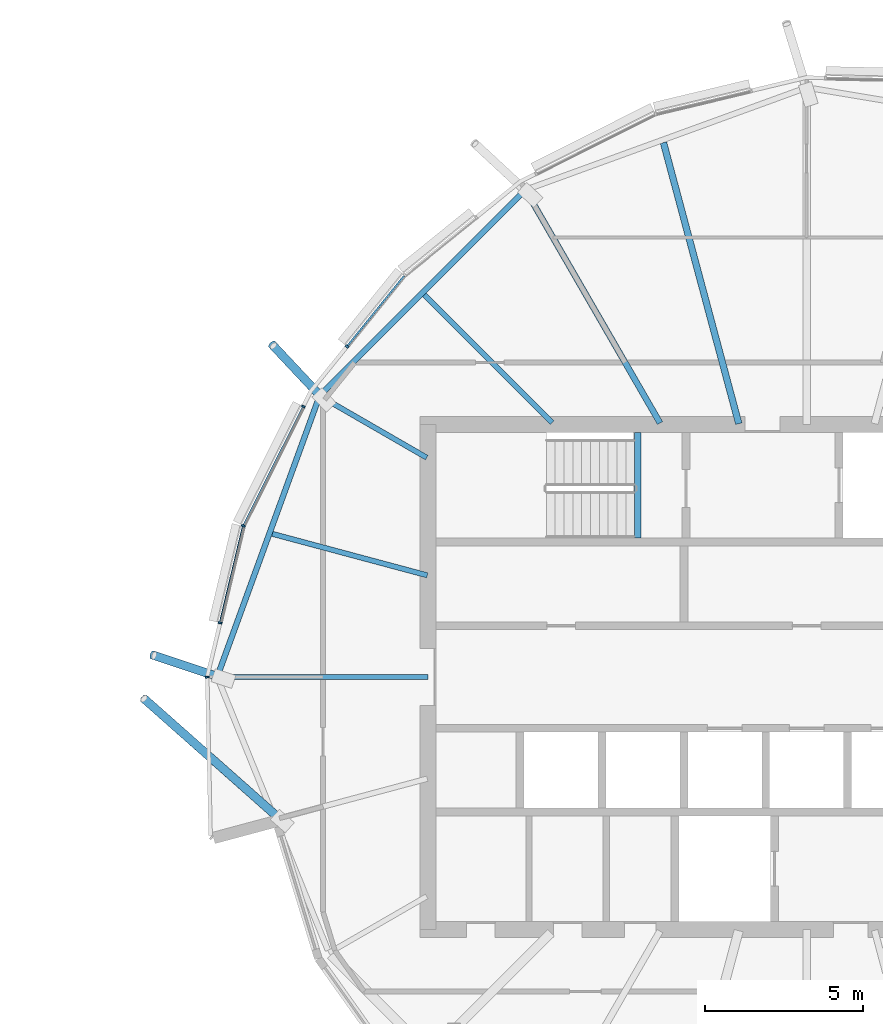
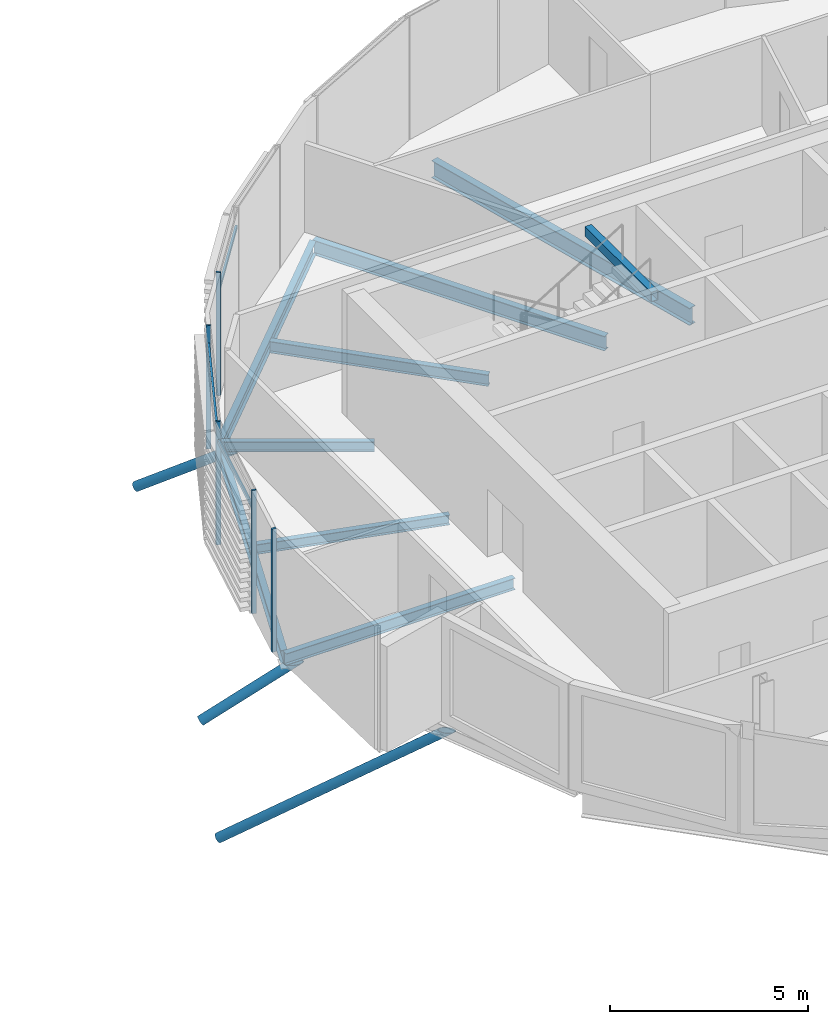
# One storey, part 11 of 36: 11 members, 9 beams, 1 element without a shape of its own.
"""IFC4 building model written with IfcOpenShell, lengths in metres."""

from ifc_helpers import new_model, si_unit, direction, frame, origin, origin_2d, place, context, subcontext, project, spatial, rectangle, hollow_rectangle, hollow_circle, i_section, extrude, clip, halfspace, material, material_profile, profile_set, type_object, element, aggregate, save


model = new_model("IFC4")

# Units and contexts
model_context = context("Model", 3, precision=1e-05, world=origin(), true_north=direction((0.0, 1.0)))
body_context = subcontext(model_context, "Body", "Model", "MODEL_VIEW")
ifc_project = project(units=[si_unit("LENGTHUNIT", "METRE"), si_unit("AREAUNIT", "SQUARE_METRE"), si_unit("VOLUMEUNIT", "CUBIC_METRE"), si_unit("PLANEANGLEUNIT", "RADIAN"), si_unit("MASSUNIT", "GRAM", prefix="KILO")], contexts=[model_context])

# Site, building, storey
site_placement = place(None, origin())
site = spatial("IfcSite", under=ifc_project, at=site_placement, CompositionType="ELEMENT")
building_placement = place(site_placement, origin())
building = spatial("IfcBuilding", under=site, at=building_placement, Name="Rimbun Link Towers", CompositionType="ELEMENT")
storey_placement = place(building_placement, frame((0.0, 0.0, 248.5)))
storey = spatial("IfcBuildingStorey", under=building, at=storey_placement, Name="L61", CompositionType="ELEMENT", Elevation=248.5)

# Curtain wall, members
ifc_material_1 = material(Name="Aluminium 6063-T6 and low-iron glass", Category="aluminium")
curtain_wall_type = type_object("IfcCurtainWallType", Name="CW1-Z4 unitised vision wall (zone 4)", PredefinedType="NOTDEFINED", material=ifc_material_1)
curtain_wall_placement = place(storey_placement, origin())
curtain_wall = element("IfcCurtainWall", 1, at=curtain_wall_placement, inside=storey, type_object=curtain_wall_type, Name="CW1 L61 T2", PredefinedType="NOTDEFINED")
ifc_material_2 = material(Name="Aluminium 6063-T6", Category="aluminium")
ifc_material_profile_1 = material_profile(ifc_material_2, rectangle(XDim=0.1201171875, YDim=0.06005859375, at=origin_2d()), Name="MULLION 60X120")
ifc_profile_set_1 = profile_set([ifc_material_profile_1], Name="Aluminium 6063-T6")
member_type_1 = type_object("IfcMemberType", Name="CW1 mullion 60X120", PredefinedType="MULLION", material=ifc_profile_set_1)
member_1_placement = place(storey_placement, frame((17.18115234375, 10.47509765625, 0.0), z_axis=(0.0, 0.0, 1.0), x_axis=(-0.777276551105, 0.629159092045, 0.0)))
member_1 = element("IfcMember", 2, at=member_1_placement, type_object=member_type_1, Name="CW1 mullion", PredefinedType="MULLION", context=body_context, shape_type="SweptSolid", body=[
    extrude(rectangle(XDim=0.1201171875, YDim=0.06005859375, at=origin_2d()), origin(), (0.0, 0.0, 1.0), 3.800048828125),
])
member_2_placement = place(storey_placement, frame((13.89501953125, 4.789794921875, 0.0), z_axis=(0.0, 0.0, 1.0), x_axis=(-0.939348063646, 0.342965326709, 0.0)))
member_2 = element("IfcMember", 3, at=member_2_placement, type_object=member_type_1, Name="CW1 mullion", PredefinedType="MULLION", context=body_context, shape_type="SweptSolid", body=[
    extrude(rectangle(XDim=0.1201171875, YDim=0.06005859375, at=origin_2d()), origin(), (0.0, 0.0, 1.0), 3.800048828125),
])
member_3_placement = place(storey_placement, frame((15.794921875, 8.57373046875, 0.0), z_axis=(0.0, 0.0, 1.0), x_axis=(-0.893647148893, 0.4487702901, 0.0)))
member_3 = element("IfcMember", 4, at=member_3_placement, type_object=member_type_1, Name="CW1 mullion", PredefinedType="MULLION", context=body_context, shape_type="SweptSolid", body=[
    extrude(rectangle(XDim=0.1201171875, YDim=0.06005859375, at=origin_2d()), origin(), (0.0, 0.0, 1.0), 3.800048828125),
])
member_4_placement = place(storey_placement, frame((13.159423828125, 1.716064453125, 0.0), z_axis=(0.0, 0.0, 1.0), x_axis=(-0.972571370192, 0.232604664363, 0.0)))
member_4 = element("IfcMember", 5, at=member_4_placement, type_object=member_type_1, Name="CW1 mullion", PredefinedType="MULLION", context=body_context, shape_type="SweptSolid", body=[
    extrude(rectangle(XDim=0.1201171875, YDim=0.06005859375, at=origin_2d()), origin(), (0.0, 0.0, 1.0), 3.800048828125),
])
member_5_placement = place(storey_placement, frame((12.750732421875, -0.001220703125, 0.0), z_axis=(0.0, 0.0, 1.0), x_axis=(-0.999778207989, -0.021060266635, 0.0)))
member_5 = element("IfcMember", 6, at=member_5_placement, type_object=member_type_1, Name="CW1 mullion", PredefinedType="MULLION", context=body_context, shape_type="SweptSolid", body=[
    extrude(rectangle(XDim=0.1201171875, YDim=0.06005859375, at=origin_2d()), origin(), (0.0, 0.0, 1.0), 3.800048828125),
])
ifc_material_3 = material(Name="Aluminium 6063-T6", Category="aluminium")
ifc_material_profile_2 = material_profile(ifc_material_3, rectangle(XDim=0.06005859375, YDim=0.1201171875, at=origin_2d()), Name="TRANSOM 60X120")
ifc_profile_set_2 = profile_set([ifc_material_profile_2], Name="Aluminium 6063-T6")
member_type_2 = type_object("IfcMemberType", Name="CW1 transom 60X120", PredefinedType="USERDEFINED", material=ifc_profile_set_2)
member_6_placement = place(storey_placement, frame((17.20166015625, 10.497314453125, 3.199951171875), z_axis=(0.629185882158, 0.777254865339, 0.0), x_axis=(-0.777254865339, 0.629185882158, 0.0)))
member_6 = element("IfcMember", 7, at=member_6_placement, type_object=member_type_2, Name="CW1 transom", ObjectType="TRANSOM", PredefinedType="USERDEFINED", context=body_context, shape_type="SweptSolid", body=[
    extrude(rectangle(XDim=0.06005859375, YDim=0.1201171875, at=origin_2d()), origin(), (0.0, 0.0, 1.0), 2.84423828125),
])
member_7_placement = place(storey_placement, frame((13.9130859375, 4.822021484375, 3.199951171875), z_axis=(0.448783061239, 0.893640735388, 0.0), x_axis=(-0.893640735388, 0.448783061239, 0.0)))
member_7 = element("IfcMember", 8, at=member_7_placement, type_object=member_type_2, Name="CW1 transom", ObjectType="TRANSOM", PredefinedType="USERDEFINED", context=body_context, shape_type="SweptSolid", body=[
    extrude(rectangle(XDim=0.06005859375, YDim=0.1201171875, at=origin_2d()), origin(), (0.0, 0.0, 1.0), 4.1669921875),
])
member_8_placement = place(storey_placement, frame((13.16845703125, 1.74462890625, 3.199951171875), z_axis=(0.232569967618, 0.972579667771, 0.0), x_axis=(-0.972579667771, 0.232569967618, 0.0)))
member_8 = element("IfcMember", 9, at=member_8_placement, type_object=member_type_2, Name="CW1 transom", ObjectType="TRANSOM", PredefinedType="USERDEFINED", context=body_context, shape_type="SweptSolid", body=[
    extrude(rectangle(XDim=0.06005859375, YDim=0.1201171875, at=origin_2d()), origin(), (0.0, 0.0, 1.0), 3.093505859375),
])
aggregate(curtain_wall, [member_1, member_2, member_3, member_4, member_5, member_6, member_7, member_8])

# Members
ifc_material_4 = material(Name="Steel S355J2H", Category="steel")
ifc_material_profile_3 = material_profile(ifc_material_4, hollow_circle(Radius=0.136474609375, WallThickness=0.012451171875, at=origin_2d()), Name="CHS 273x12.5")
ifc_profile_set_3 = profile_set([ifc_material_profile_3], Name="Steel S355J2H")
member_type_3 = type_object("IfcMemberType", Name="Floor edge link CHS 273x12.5", PredefinedType="BRACE", material=ifc_profile_set_3)
member_9_placement = place(storey_placement, frame((16.35791015625, 8.88671875, -0.5576171875), z_axis=(-0.573930312999, 0.612186304552, -0.543904333812), x_axis=(-0.729533843142, -0.683944713928, 0.0)))
element("IfcMember", 10, at=member_9_placement, inside=storey, type_object=member_type_3, Name="Floor edge link T2 L61 07", PredefinedType="BRACE", context=body_context, shape_type="Clipping", body=[
    clip(extrude(hollow_circle(Radius=0.136474609375, WallThickness=0.012451171875, at=origin_2d()), frame((0.0, 0.0, -0.439697265625)), (0.0, 0.0, 1.0), 3.13916015625), halfspace(frame((0.0, 0.0, -0.206298828125), z_axis=(0.0, 0.839147231217, -0.543904333812)), False)),
])
member_10_placement = place(storey_placement, frame((13.117919921875, 0.0, -0.611083984375), z_axis=(-0.81060298795, 0.269949996452, -0.519663155652), x_axis=(-0.315963349259, -0.94877139603, 0.0)))
element("IfcMember", 11, at=member_10_placement, inside=storey, type_object=member_type_3, Name="Floor edge link T2 L61 09", PredefinedType="BRACE", context=body_context, shape_type="Clipping", body=[
    clip(extrude(hollow_circle(Radius=0.136474609375, WallThickness=0.012451171875, at=origin_2d()), frame((0.0, 0.0, -0.468017578125)), (0.0, 0.0, 1.0), 3.06201171875), halfspace(frame((0.0, 0.0, -0.219482421875), z_axis=(0.0, 0.854371233515, -0.519663155652)), False)),
])
member_11_placement = place(storey_placement, frame((15.03369140625, -4.47900390625, -0.607666015625), z_axis=(-0.612465963769, 0.542320586969, -0.575129397766), x_axis=(-0.662932989357, -0.748678737258, 0.0)))
element("IfcMember", 12, at=member_11_placement, inside=storey, type_object=member_type_3, Name="Floor edge link T2 L61 10", PredefinedType="BRACE", context=body_context, shape_type="Clipping", body=[
    clip(extrude(hollow_circle(Radius=0.136474609375, WallThickness=0.012451171875, at=origin_2d()), frame((0.0, 0.0, -0.40576171875)), (0.0, 0.0, 1.0), 7.41552734375), halfspace(frame((0.0, 0.0, -0.1923828125), z_axis=(0.0, 0.818062452277, -0.575129397766)), False)),
])

# Beams
ifc_material_5 = material(Name="Steel S355J2", Category="steel")
ifc_material_profile_4 = material_profile(ifc_material_5, hollow_rectangle(XDim=0.199951171875, YDim=0.300048828125, WallThickness=0.011962890625, at=origin_2d()), Name="BOX 300x200x12")
ifc_profile_set_4 = profile_set([ifc_material_profile_4], Name="Steel S355J2")
beam_type_1 = type_object("IfcBeamType", Name="Stair trimmer beam BOX 300x200x12", PredefinedType="BEAM", material=ifc_profile_set_4)
beam_1_placement = place(storey_placement, frame((26.39990234375, 7.75, 3.510009765625), z_axis=(0.0, -1.0, 0.0), x_axis=(1.0, 0.0, 0.0)))
element("IfcBeam", 13, at=beam_1_placement, inside=storey, type_object=beam_type_1, Name="L61 ST3 stair beam 1", PredefinedType="BEAM", context=body_context, shape_type="SweptSolid", body=[
    extrude(hollow_rectangle(XDim=0.199951171875, YDim=0.300048828125, WallThickness=0.011962890625, at=origin_2d()), origin(), (0.0, 0.0, 1.0), 3.35009765625),
])
ifc_material_6 = material(Name="Steel S355J2", Category="steel")
ifc_material_profile_5 = material_profile(ifc_material_6, i_section(OverallWidth=0.1650390625, OverallDepth=0.303466796875, WebThickness=0.006103515625, FlangeThickness=0.01025390625, at=origin_2d()), Name="UB 305x165x40")
ifc_profile_set_5 = profile_set([ifc_material_profile_5], Name="Steel S355J2")
beam_type_2 = type_object("IfcBeamType", Name="UB 305x165x40", PredefinedType="BEAM", material=ifc_profile_set_5)
beam_2_placement = place(storey_placement, frame((19.7080078125, 6.952392578125, -0.291748046875), z_axis=(-0.866029956157, 0.499992114976, 0.0), x_axis=(-0.499992114976, -0.866029956157, 0.0)))
element("IfcBeam", 14, at=beam_2_placement, inside=storey, type_object=beam_type_2, Name="Radial beam T2 L61 07", PredefinedType="BEAM", context=body_context, shape_type="SweptSolid", body=[
    extrude(i_section(OverallWidth=0.1650390625, OverallDepth=0.303466796875, WebThickness=0.006103515625, FlangeThickness=0.01025390625, at=origin_2d()), origin(), (0.0, 0.0, 1.0), 3.91845703125),
])
beam_3_placement = place(storey_placement, frame((19.727783203125, 3.221435546875, -0.291748046875), z_axis=(-0.965926618038, 0.258816090238, 0.0), x_axis=(-0.258816090238, -0.965926618038, 0.0)))
element("IfcBeam", 15, at=beam_3_placement, inside=storey, type_object=beam_type_2, Name="Radial beam T2 L61 08", PredefinedType="BEAM", context=body_context, shape_type="SweptSolid", body=[
    extrude(i_section(OverallWidth=0.1650390625, OverallDepth=0.303466796875, WebThickness=0.006103515625, FlangeThickness=0.01025390625, at=origin_2d()), origin(), (0.0, 0.0, 1.0), 5.08447265625),
])
ifc_material_7 = material(Name="Steel S355J2", Category="steel")
ifc_material_profile_6 = material_profile(ifc_material_7, i_section(OverallWidth=0.17138671875, OverallDepth=0.35498046875, WebThickness=0.00732421875, FlangeThickness=0.011474609375, at=origin_2d()), Name="UB 356x171x51")
ifc_profile_set_6 = profile_set([ifc_material_profile_6], Name="Steel S355J2")
beam_type_3 = type_object("IfcBeamType", Name="UB 356x171x51", PredefinedType="BEAM", material=ifc_profile_set_6)
beam_4_placement = place(storey_placement, frame((23.688720703125, 8.061279296875, -0.3173828125), z_axis=(-0.707106781187, 0.707106781187, 0.0), x_axis=(-0.707106781187, -0.707106781187, 0.0)))
element("IfcBeam", 16, at=beam_4_placement, inside=storey, type_object=beam_type_3, Name="Radial beam T2 L61 06", PredefinedType="BEAM", context=body_context, shape_type="SweptSolid", body=[
    extrude(i_section(OverallWidth=0.17138671875, OverallDepth=0.35498046875, WebThickness=0.00732421875, FlangeThickness=0.011474609375, at=origin_2d()), origin(), (0.0, 0.0, 1.0), 5.725830078125),
])
beam_5_placement = place(storey_placement, frame((19.7490234375, 0.0, -0.3173828125), z_axis=(-1.0, 0.0, 0.0), x_axis=(0.0, -1.0, 0.0)))
element("IfcBeam", 17, at=beam_5_placement, inside=storey, type_object=beam_type_3, Name="Radial beam T2 L61 09", PredefinedType="BEAM", context=body_context, shape_type="SweptSolid", body=[
    extrude(i_section(OverallWidth=0.17138671875, OverallDepth=0.35498046875, WebThickness=0.00732421875, FlangeThickness=0.011474609375, at=origin_2d()), origin(), (0.0, 0.0, 1.0), 6.68115234375),
])
ifc_material_8 = material(Name="Steel S355J2", Category="steel")
ifc_material_profile_7 = material_profile(ifc_material_8, i_section(OverallWidth=0.177978515625, OverallDepth=0.406494140625, WebThickness=0.0078125, FlangeThickness=0.0126953125, at=origin_2d()), Name="UB 406x178x60")
ifc_profile_set_7 = profile_set([ifc_material_profile_7], Name="Steel S355J2")
beam_type_4 = type_object("IfcBeamType", Name="UB 406x178x60", PredefinedType="BEAM", material=ifc_profile_set_7)
beam_6_placement = place(storey_placement, frame((22.76806640625, 15.365234375, -0.34326171875), z_axis=(-0.707120283966, -0.70709327815, 0.0), x_axis=(0.70709327815, -0.707120283966, 0.0)))
element("IfcBeam", 18, at=beam_6_placement, inside=storey, type_object=beam_type_4, Name="Edge beam T2 L61 05-07", PredefinedType="BEAM", context=body_context, shape_type="SweptSolid", body=[
    extrude(i_section(OverallWidth=0.177978515625, OverallDepth=0.406494140625, WebThickness=0.0078125, FlangeThickness=0.0126953125, at=origin_2d()), origin(), (0.0, 0.0, 1.0), 9.040283203125),
])
beam_7_placement = place(storey_placement, frame((16.285400390625, 8.83203125, -0.34326171875), z_axis=(-0.342303216712, -0.939589542209, 0.0), x_axis=(0.939589542209, -0.342303216712, 0.0)))
element("IfcBeam", 19, at=beam_7_placement, inside=storey, type_object=beam_type_4, Name="Edge beam T2 L61 07-09", PredefinedType="BEAM", context=body_context, shape_type="SweptSolid", body=[
    extrude(i_section(OverallWidth=0.177978515625, OverallDepth=0.406494140625, WebThickness=0.0078125, FlangeThickness=0.0126953125, at=origin_2d()), origin(), (0.0, 0.0, 1.0), 9.3076171875),
])
ifc_material_9 = material(Name="Steel S355J2", Category="steel")
ifc_material_profile_8 = material_profile(ifc_material_9, i_section(OverallWidth=0.18994140625, OverallDepth=0.453369140625, WebThickness=0.008544921875, FlangeThickness=0.0126953125, at=origin_2d()), Name="UB 457x191x67")
ifc_profile_set_8 = profile_set([ifc_material_profile_8], Name="Steel S355J2")
beam_type_5 = type_object("IfcBeamType", Name="UB 457x191x67", PredefinedType="BEAM", material=ifc_profile_set_8)
beam_8_placement = place(storey_placement, frame((27.103271484375, 8.04833984375, -0.36669921875), z_axis=(-0.499990030109, 0.866031159827, 0.0), x_axis=(-0.866031159827, -0.499990030109, 0.0)))
element("IfcBeam", 20, at=beam_8_placement, inside=storey, type_object=beam_type_5, Name="Radial beam T2 L61 05", PredefinedType="BEAM", context=body_context, shape_type="SweptSolid", body=[
    extrude(i_section(OverallWidth=0.18994140625, OverallDepth=0.453369140625, WebThickness=0.008544921875, FlangeThickness=0.0126953125, at=origin_2d()), origin(), (0.0, 0.0, 1.0), 8.530029296875),
])
ifc_material_10 = material(Name="Steel S355J2", Category="steel")
ifc_material_profile_9 = material_profile(ifc_material_10, i_section(OverallWidth=0.209228515625, OverallDepth=0.533203125, WebThickness=0.010009765625, FlangeThickness=0.015625, at=origin_2d()), Name="UB 533x210x92")
ifc_profile_set_9 = profile_set([ifc_material_profile_9], Name="Steel S355J2")
beam_type_6 = type_object("IfcBeamType", Name="UB 533x210x92", PredefinedType="BEAM", material=ifc_profile_set_9)
beam_9_placement = place(storey_placement, frame((29.598876953125, 8.028076171875, -0.406494140625), z_axis=(-0.25882609299, 0.965923937786, 0.0), x_axis=(-0.965923937786, -0.25882609299, 0.0)))
element("IfcBeam", 21, at=beam_9_placement, inside=storey, type_object=beam_type_6, Name="Radial beam T2 L61 04", PredefinedType="BEAM", context=body_context, shape_type="SweptSolid", body=[
    extrude(i_section(OverallWidth=0.209228515625, OverallDepth=0.533203125, WebThickness=0.010009765625, FlangeThickness=0.015625, at=origin_2d()), origin(), (0.0, 0.0, 1.0), 9.219482421875),
])

save(model, "model.ifc")
